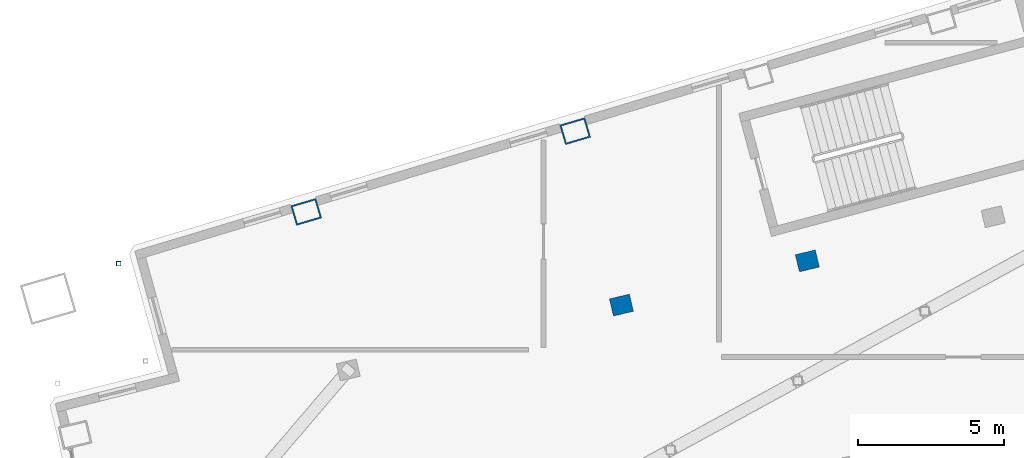
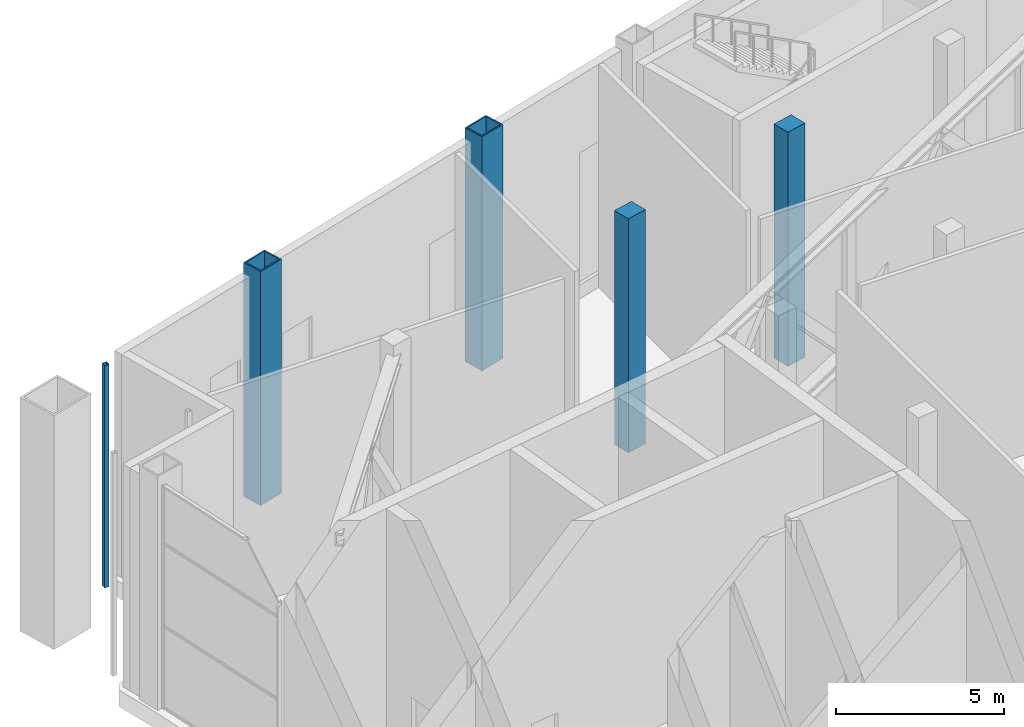
# One storey, part 5 of 25: 5 columns.
"""IFC4 building model written with IfcOpenShell, lengths in metres."""

from ifc_helpers import new_model, si_unit, direction, frame, origin, origin_2d, place, context, subcontext, project, spatial, rectangle, hollow_rectangle, extrude, material, material_profile, profile_set, type_object, element, save


model = new_model("IFC4")

# Units and contexts
model_context = context("Model", 3, precision=1e-05, world=origin(), true_north=direction((0.0, 1.0)))
body_context = subcontext(model_context, "Body", "Model", "MODEL_VIEW")
ifc_project = project(units=[si_unit("LENGTHUNIT", "METRE"), si_unit("AREAUNIT", "SQUARE_METRE"), si_unit("VOLUMEUNIT", "CUBIC_METRE"), si_unit("PLANEANGLEUNIT", "RADIAN"), si_unit("MASSUNIT", "GRAM", prefix="KILO")], contexts=[model_context])

# Site, building, storey
site_placement = place(None, origin())
site = spatial("IfcSite", under=ifc_project, at=site_placement, CompositionType="ELEMENT")
building_placement = place(site_placement, origin())
building = spatial("IfcBuilding", under=site, at=building_placement, Name="Alderwake Tower", CompositionType="ELEMENT")
storey_placement = place(building_placement, frame((0.0, 0.0, 296.0)))
storey = spatial("IfcBuildingStorey", under=building, at=storey_placement, Name="L73", CompositionType="ELEMENT", Elevation=296.0)

# Columns
ifc_material_1 = material(Name="Steel ASTM A572 Grade 50 concrete filled C70/85", Category="concrete")
ifc_material_profile_1 = material_profile(ifc_material_1, hollow_rectangle(XDim=0.699951171875, YDim=0.89990234375, WallThickness=0.050048828125, at=origin_2d()), Name="BOX 900X700X50")
ifc_profile_set_1 = profile_set([ifc_material_profile_1], Name="Steel ASTM A572 Grade 50 concrete filled C70/85")
column_type_1 = type_object("IfcColumnType", Name="End column Z5", PredefinedType="COLUMN", material=ifc_profile_set_1)
for number, where, z_axis, x_axis, name in (
    (1, (21.885498046875, 90.96240234375, 0.0), (0.0, 0.0, 1.0), (-0.282132160283, 0.95937554906, 0.0), "Column R12-C1"),
    (2, (31.080322265625, 93.72314453125, 0.0), (0.0, 0.0, 1.0), (-0.282582549822, 0.959242984095, 0.0), "Column R12-C2"),
):
    element("IfcColumn", number, at=place(storey_placement, frame(where, z_axis=z_axis, x_axis=x_axis)), inside=storey, type_object=column_type_1, Name=name, PredefinedType="COLUMN", context=body_context, shape_type="SweptSolid", body=[
        extrude(hollow_rectangle(XDim=0.699951171875, YDim=0.89990234375, WallThickness=0.050048828125, at=origin_2d()), origin(), (0.0, 0.0, 1.0), 8.5),
    ])
ifc_material_2 = material(Name="Concrete C70/85", Category="concrete")
ifc_material_profile_2 = material_profile(ifc_material_2, rectangle(XDim=0.60009765625, YDim=0.699951171875, at=origin_2d()), Name="RC 700X600")
ifc_profile_set_2 = profile_set([ifc_material_profile_2], Name="Concrete C70/85")
column_type_2 = type_object("IfcColumnType", Name="Interior column Z5", PredefinedType="COLUMN", material=ifc_profile_set_2)
for number, where, z_axis, x_axis, name in (
    (3, (32.661865234375, 87.775390625, 0.0), (0.0, 0.0, 1.0), (-0.231221547198, 0.972901123502, 0.0), "Column R11-C2"),
    (4, (39.018310546875, 89.2861328125, 0.0), (0.0, 0.0, 1.0), (-0.231221547198, 0.972901123502, 0.0), "Column R11-C3"),
):
    element("IfcColumn", number, at=place(storey_placement, frame(where, z_axis=z_axis, x_axis=x_axis)), inside=storey, type_object=column_type_2, Name=name, PredefinedType="COLUMN", context=body_context, shape_type="SweptSolid", body=[
        extrude(rectangle(XDim=0.60009765625, YDim=0.699951171875, at=origin_2d()), origin(), (0.0, 0.0, 1.0), 8.5),
    ])
ifc_material_3 = material(Name="Steel ASTM A500 Grade C", Category="steel")
ifc_material_profile_3 = material_profile(ifc_material_3, hollow_rectangle(XDim=0.15234375, YDim=0.15234375, WallThickness=0.0087890625, at=origin_2d()), Name="HSS6X6X3/8")
ifc_profile_set_3 = profile_set([ifc_material_profile_3], Name="Steel ASTM A500 Grade C")
column_type_3 = type_object("IfcColumnType", Name="Light post HSS6X6X3/8", PredefinedType="COLUMN", material=ifc_profile_set_3)
column_placement = place(storey_placement, frame((15.47412109375, 89.194091796875, 0.0), z_axis=(0.0, 0.0, 1.0), x_axis=(1.0, 0.0, 0.0)))
element("IfcColumn", 5, at=column_placement, inside=storey, type_object=column_type_3, Name="Terrace post RN2", PredefinedType="COLUMN", context=body_context, shape_type="SweptSolid", body=[
    extrude(hollow_rectangle(XDim=0.15234375, YDim=0.15234375, WallThickness=0.0087890625, at=origin_2d()), origin(), (0.0, 0.0, 1.0), 8.080078125),
])

save(model, "model.ifc")
